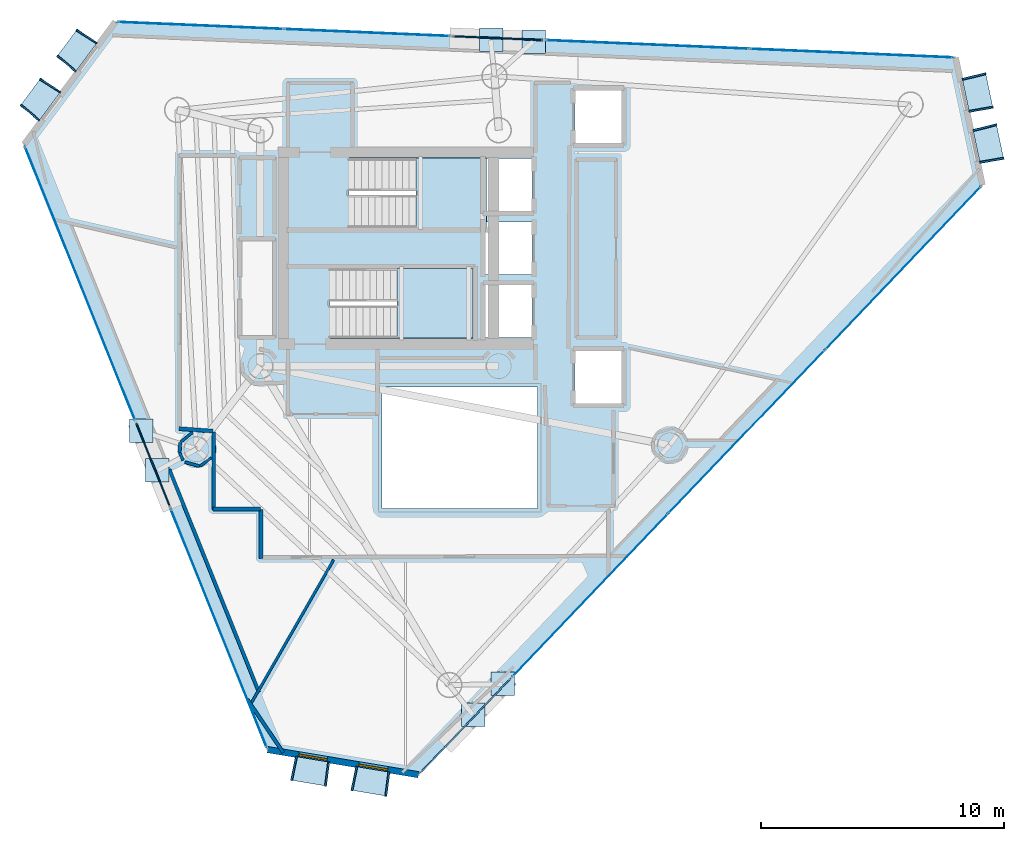
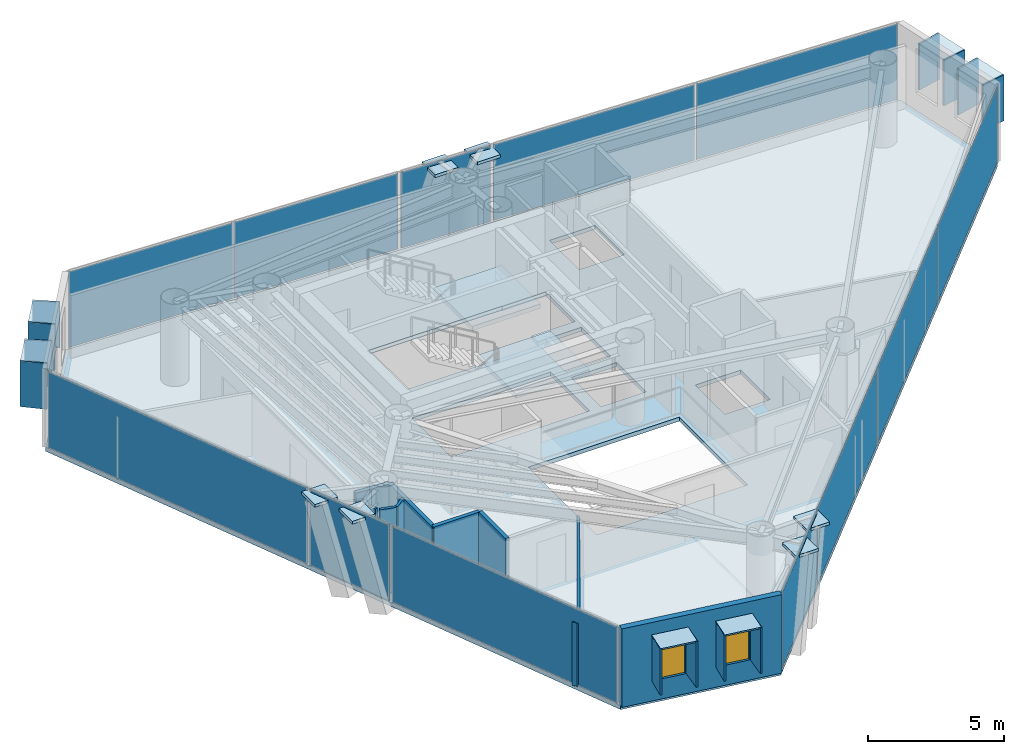
# One storey, part 14 of 21: 36 plates, 13 walls, 3 slabs, 2 windows, 2 openings, 10 elements without a shape of their own.
"""IFC4 building model written with IfcOpenShell, lengths in metres."""

from ifc_helpers import new_model, si_unit, direction, frame, frame_2d, origin, origin_2d, place, context, subcontext, project, spatial, polyline, rectangle, outline, extrude, material, layer, layer_set, type_object, element, fill, aggregate, save


model = new_model("IFC4")

# Units and contexts
model_context = context("Model", 3, precision=1e-05, world=origin(), true_north=direction((0.0, 1.0)))
body_context = subcontext(model_context, "Body", "Model", "MODEL_VIEW")
ifc_project = project(units=[si_unit("LENGTHUNIT", "METRE"), si_unit("AREAUNIT", "SQUARE_METRE"), si_unit("VOLUMEUNIT", "CUBIC_METRE"), si_unit("PLANEANGLEUNIT", "RADIAN"), si_unit("MASSUNIT", "GRAM", prefix="KILO")], contexts=[model_context])

# Site, building, storey
site_placement = place(None, origin())
site = spatial("IfcSite", under=ifc_project, at=site_placement, CompositionType="ELEMENT")
building_placement = place(site_placement, origin())
building = spatial("IfcBuilding", under=site, at=building_placement, Name="Qianvela Tower", CompositionType="ELEMENT")
storey_placement = place(building_placement, frame((0.0, 0.0, 242.699951171875)))
storey = spatial("IfcBuildingStorey", under=building, at=storey_placement, Name="L62", CompositionType="ELEMENT", Elevation=242.699951171875)

# Curtain wall, plate
ifc_material_1 = material(Name="Anodised Architectural Aluminium and Insulated Spandrel Panel", Category="aluminium")
ifc_layer_1 = layer(ifc_material_1, 0.179931640625)
ifc_layer_set_1 = layer_set([ifc_layer_1], Name="Anodised Architectural Aluminium and Insulated Spandrel Panel")
curtain_wall_type_1 = type_object("IfcCurtainWallType", Name="CW-BRACEBAY", PredefinedType="USERDEFINED", material=ifc_layer_set_1)
curtain_wall_1_placement = place(storey_placement, origin())
curtain_wall_1 = element("IfcCurtainWall", 1, at=curtain_wall_1_placement, inside=storey, type_object=curtain_wall_type_1, Name="L62 CW-BRACEBAY Curtain Wall 02B", ObjectType="CURTAIN_WALL_SYSTEM", PredefinedType="USERDEFINED")
ifc_material_2 = material(Name="Insulated Aluminium Spandrel Panel with Mineral-Wool Backpan", Category="aluminium")
ifc_layer_2 = layer(ifc_material_2, 0.06005859375)
ifc_layer_set_2 = layer_set([ifc_layer_2], Name="Insulated Aluminium Spandrel Panel with Mineral-Wool Backpan")
plate_type_1 = type_object("IfcPlateType", Name="CW-BRACEBAY-PNL", PredefinedType="CURTAIN_PANEL", material=ifc_layer_set_2)
plate_1_placement = place(storey_placement, frame((38.36279296875, 37.336669921875, 0.06494140625), z_axis=(0.0, 0.0, 1.0), x_axis=(-0.999098434413, 0.042453720132, 0.0)))
plate_1 = element("IfcPlate", 2, at=plate_1_placement, type_object=plate_type_1, Name="CW-9 panel 1.1", PredefinedType="CURTAIN_PANEL", context=body_context, shape_type="SweptSolid", body=[
    extrude(rectangle(XDim=3.699951171875, YDim=0.06005859375, at=origin_2d()), origin(), (0.0, 0.0, 1.0), 3.389892578125),
])
aggregate(curtain_wall_1, [plate_1])

curtain_wall_2_placement = place(storey_placement, origin())
curtain_wall_2 = element("IfcCurtainWall", 3, at=curtain_wall_2_placement, inside=storey, type_object=curtain_wall_type_1, Name="L62 CW-BRACEBAY Curtain Wall 04B", ObjectType="CURTAIN_WALL_SYSTEM", PredefinedType="USERDEFINED")
plate_2_placement = place(storey_placement, frame((24.18603515625, 19.796875, 0.06494140625), z_axis=(0.0, 0.0, 1.0), x_axis=(0.373307550736, -0.927707643907, 0.0)))
plate_2 = element("IfcPlate", 4, at=plate_2_placement, type_object=plate_type_1, Name="CW-9 panel 1.1", PredefinedType="CURTAIN_PANEL", context=body_context, shape_type="SweptSolid", body=[
    extrude(rectangle(XDim=3.7001953125, YDim=0.06005859375, at=origin_2d()), origin(), (0.0, 0.0, 1.0), 3.389892578125),
])
aggregate(curtain_wall_2, [plate_2])

curtain_wall_3_placement = place(storey_placement, origin())
curtain_wall_3 = element("IfcCurtainWall", 5, at=curtain_wall_3_placement, inside=storey, type_object=curtain_wall_type_1, Name="L62 CW-BRACEBAY Curtain Wall 06A", ObjectType="CURTAIN_WALL_SYSTEM", PredefinedType="USERDEFINED")
plate_3_placement = place(storey_placement, frame((37.0302734375, 9.06982421875, 0.06494140625), z_axis=(0.0, 0.0, 1.0), x_axis=(0.691221818829, 0.722642648323, 0.0)))
plate_3 = element("IfcPlate", 6, at=plate_3_placement, type_object=plate_type_1, Name="CW-9 panel 1.1", PredefinedType="CURTAIN_PANEL", context=body_context, shape_type="SweptSolid", body=[
    extrude(rectangle(XDim=5.360107421875, YDim=0.06005859375, at=origin_2d()), origin(), (0.0, 0.0, 1.0), 3.389892578125),
])
aggregate(curtain_wall_3, [plate_3])

# Curtain wall, plates
ifc_material_3 = material(Name="Anodised Architectural Aluminium and Low-E Glass", Category="aluminium")
ifc_layer_3 = layer(ifc_material_3, 0.159912109375)
ifc_layer_set_3 = layer_set([ifc_layer_3], Name="Anodised Architectural Aluminium and Low-E Glass")
curtain_wall_type_2 = type_object("IfcCurtainWallType", Name="CW-COLIV-Z56", PredefinedType="USERDEFINED", material=ifc_layer_set_3)
curtain_wall_4_placement = place(storey_placement, origin())
curtain_wall_4 = element("IfcCurtainWall", 7, at=curtain_wall_4_placement, inside=storey, type_object=curtain_wall_type_2, Name="L62 CW-COLIV-Z56 Curtain Wall 02A", ObjectType="CURTAIN_WALL_SYSTEM", PredefinedType="USERDEFINED")
ifc_material_4 = material(Name="Double-Silver Low-E Insulated Glass", Category="glass")
ifc_layer_4 = layer(ifc_material_4, 0.028076171875)
ifc_layer_set_4 = layer_set([ifc_layer_4], Name="Double-Silver Low-E Insulated Glass")
plate_type_2 = type_object("IfcPlateType", Name="CW-COLIV-Z56-PNL", PredefinedType="CURTAIN_PANEL", material=ifc_layer_set_4)
plate_4_placement = place(storey_placement, frame((52.90087890625, 36.71875, 0.06005859375), z_axis=(0.0, 0.0, 1.0), x_axis=(-0.999098410299, 0.04245428762, 0.0)))
plate_4 = element("IfcPlate", 8, at=plate_4_placement, type_object=plate_type_2, Name="CW-5 panel 1.1", PredefinedType="CURTAIN_PANEL", context=body_context, shape_type="SweptSolid", body=[
    extrude(rectangle(XDim=8.33740234375, YDim=0.028076171875, at=origin_2d()), origin(), (0.0, 0.0, 1.0), 3.39990234375),
])
plate_5_placement = place(storey_placement, frame((44.506103515625, 37.075439453125, 0.06005859375), z_axis=(0.0, 0.0, 1.0), x_axis=(-0.999098410299, 0.04245428762, 0.0)))
plate_5 = element("IfcPlate", 9, at=plate_5_placement, type_object=plate_type_2, Name="CW-5 panel 2.1", PredefinedType="CURTAIN_PANEL", context=body_context, shape_type="SweptSolid", body=[
    extrude(rectangle(XDim=8.33740234375, YDim=0.028076171875, at=origin_2d()), origin(), (0.0, 0.0, 1.0), 3.39990234375),
])
aggregate(curtain_wall_4, [plate_4, plate_5])

curtain_wall_5_placement = place(storey_placement, origin())
curtain_wall_5 = element("IfcCurtainWall", 10, at=curtain_wall_5_placement, inside=storey, type_object=curtain_wall_type_2, Name="L62 CW-COLIV-Z56 Curtain Wall 02C", ObjectType="CURTAIN_WALL_SYSTEM", PredefinedType="USERDEFINED")
plate_6_placement = place(storey_placement, frame((32.993896484375, 37.564697265625, 0.06005859375), z_axis=(0.0, 0.0, 1.0), x_axis=(-0.999098398512, 0.042454565017, 0.0)))
plate_6 = element("IfcPlate", 11, at=plate_6_placement, type_object=plate_type_2, Name="CW-5 panel 1.1", PredefinedType="CURTAIN_PANEL", context=body_context, shape_type="SweptSolid", body=[
    extrude(rectangle(XDim=6.78759765625, YDim=0.028076171875, at=origin_2d()), origin(), (0.0, 0.0, 1.0), 3.39990234375),
])
plate_7_placement = place(storey_placement, frame((26.147705078125, 37.855712890625, 0.06005859375), z_axis=(0.0, 0.0, 1.0), x_axis=(-0.999098398512, 0.042454565017, 0.0)))
plate_7 = element("IfcPlate", 12, at=plate_7_placement, type_object=plate_type_2, Name="CW-5 panel 2.1", PredefinedType="CURTAIN_PANEL", context=body_context, shape_type="SweptSolid", body=[
    extrude(rectangle(XDim=6.78759765625, YDim=0.028076171875, at=origin_2d()), origin(), (0.0, 0.0, 1.0), 3.39990234375),
])
aggregate(curtain_wall_5, [plate_6, plate_7])

# Curtain wall, plate
curtain_wall_6_placement = place(storey_placement, origin())
curtain_wall_6 = element("IfcCurtainWall", 13, at=curtain_wall_6_placement, inside=storey, type_object=curtain_wall_type_2, Name="L62 CW-COLIV-Z56 Curtain Wall 04A", ObjectType="CURTAIN_WALL_SYSTEM", PredefinedType="USERDEFINED")
plate_8_placement = place(storey_placement, frame((21.1884765625, 27.246337890625, 0.06005859375), z_axis=(0.0, 0.0, 1.0), x_axis=(0.373305763512, -0.92770836308, 0.0)))
plate_8 = element("IfcPlate", 14, at=plate_8_placement, type_object=plate_type_2, Name="CW-5 panel 1.1", PredefinedType="CURTAIN_PANEL", context=body_context, shape_type="SweptSolid", body=[
    extrude(rectangle(XDim=12.099853515625, YDim=0.028076171875, at=origin_2d()), origin(), (0.0, 0.0, 1.0), 3.39990234375),
])
aggregate(curtain_wall_6, [plate_8])

curtain_wall_7_placement = place(storey_placement, origin())
curtain_wall_7 = element("IfcCurtainWall", 15, at=curtain_wall_7_placement, inside=storey, type_object=curtain_wall_type_2, Name="L62 CW-COLIV-Z56 Curtain Wall 04C", ObjectType="CURTAIN_WALL_SYSTEM", PredefinedType="USERDEFINED")
plate_9_placement = place(storey_placement, frame((26.890869140625, 13.0751953125, 0.06005859375), z_axis=(0.0, 0.0, 1.0), x_axis=(0.373309521879, -0.927706850721, 0.0)))
plate_9 = element("IfcPlate", 16, at=plate_9_placement, type_object=plate_type_2, Name="CW-5 panel 1.1", PredefinedType="CURTAIN_PANEL", context=body_context, shape_type="SweptSolid", body=[
    extrude(rectangle(XDim=10.531005859375, YDim=0.028076171875, at=origin_2d()), origin(), (0.0, 0.0, 1.0), 3.39990234375),
])
aggregate(curtain_wall_7, [plate_9])

# Curtain wall, plates
curtain_wall_8_placement = place(storey_placement, origin())
curtain_wall_8 = element("IfcCurtainWall", 17, at=curtain_wall_8_placement, inside=storey, type_object=curtain_wall_type_2, Name="L62 CW-COLIV-Z56 Curtain Wall 06B", ObjectType="CURTAIN_WALL_SYSTEM", PredefinedType="USERDEFINED")
plate_10_placement = place(storey_placement, frame((42.159423828125, 14.43212890625, 0.06005859375), z_axis=(0.0, 0.0, 1.0), x_axis=(0.691219965811, 0.722644420766, 0.0)))
plate_10 = element("IfcPlate", 18, at=plate_10_placement, type_object=plate_type_2, Name="CW-5 panel 1.1", PredefinedType="CURTAIN_PANEL", context=body_context, shape_type="SweptSolid", body=[
    extrude(rectangle(XDim=9.22119140625, YDim=0.028076171875, at=origin_2d()), origin(), (0.0, 0.0, 1.0), 3.39990234375),
])
plate_11_placement = place(storey_placement, frame((48.58935546875, 21.154541015625, 0.06005859375), z_axis=(0.0, 0.0, 1.0), x_axis=(0.691219965811, 0.722644420766, 0.0)))
plate_11 = element("IfcPlate", 19, at=plate_11_placement, type_object=plate_type_2, Name="CW-5 panel 2.1", PredefinedType="CURTAIN_PANEL", context=body_context, shape_type="SweptSolid", body=[
    extrude(rectangle(XDim=9.253662109375, YDim=0.028076171875, at=origin_2d()), origin(), (0.0, 0.0, 1.0), 3.39990234375),
])
plate_12_placement = place(storey_placement, frame((55.01953125, 27.876708984375, 0.06005859375), z_axis=(0.0, 0.0, 1.0), x_axis=(0.691219965811, 0.722644420766, 0.0)))
plate_12 = element("IfcPlate", 20, at=plate_12_placement, type_object=plate_type_2, Name="CW-5 panel 3.1", PredefinedType="CURTAIN_PANEL", context=body_context, shape_type="SweptSolid", body=[
    extrude(rectangle(XDim=9.22119140625, YDim=0.028076171875, at=origin_2d()), origin(), (0.0, 0.0, 1.0), 3.39990234375),
])
aggregate(curtain_wall_8, [plate_10, plate_11, plate_12])

# Plates
ifc_material_5 = material(Name="Steel Q420GJC", Category="steel")
ifc_layer_5 = layer(ifc_material_5, 0.1298828125)
ifc_layer_set_5 = layer_set([ifc_layer_5], Name="Steel Q420GJC")
plate_type_3 = type_object("IfcPlateType", Name="PT-ENDCAP-130", PredefinedType="USERDEFINED", material=ifc_layer_set_5)
for number, where, z_axis, x_axis, name in (
    (21, (39.839111328125, 37.19384765625, 3.209716796875), (0.0, 0.0, 1.0), (1.0, 0.0, 0.0), "L62 Hollow Section End Cap Plate B"),
    (22, (38.088134765625, 37.268310546875, 3.209716796875), (0.0, 0.0, 1.0), (1.0, 0.0, 0.0), "L62 Hollow Section End Cap Plate B"),
    (23, (23.7080078125, 21.19921875, 3.209716796875), (0.0, 0.0, 1.0), (1.0, 0.0, 0.0), "L62 Hollow Section End Cap Plate B"),
    (24, (24.3623046875, 19.5732421875, 3.209716796875), (0.0, 0.0, 1.0), (1.0, 0.0, 0.0), "L62 Hollow Section End Cap Plate B"),
    (25, (37.353759765625, 9.523681640625, 3.20947265625), (0.0, 0.0, 1.0), (1.0, 0.0, 0.0), "L62 Hollow Section End Cap Plate B"),
    (26, (38.565185546875, 10.790283203125, 3.20947265625), (0.0, 0.0, 1.0), (1.0, 0.0, 0.0), "L62 Hollow Section End Cap Plate B"),
):
    element("IfcPlate", number, at=place(storey_placement, frame(where, z_axis=z_axis, x_axis=x_axis)), inside=storey, type_object=plate_type_3, Name=name, ObjectType="END_CAP", PredefinedType="USERDEFINED", context=body_context, shape_type="SweptSolid", body=[
        extrude(rectangle(XDim=0.969970703125, YDim=0.969970703125, at=origin_2d()), origin(), (0.0, 0.0, 1.0), 0.1298828125),
    ])

# Slab
ifc_material_6 = material(Name="Concrete C40", Category="concrete")
ifc_layer_6 = layer(ifc_material_6, 0.179931640625)
ifc_layer_set_6 = layer_set([ifc_layer_6], Name="Concrete C40")
slab_type_1 = type_object("IfcSlabType", Name="SL-FLOOR-180", PredefinedType="FLOOR", material=ifc_layer_set_6)
slab_1_placement = place(storey_placement, frame((0.0, 0.0, -0.179931640625)))
element("IfcSlab", 27, at=slab_1_placement, inside=storey, type_object=slab_type_1, Name="L62 Composite Structural Floor Slab", PredefinedType="FLOOR", context=body_context, shape_type="SweptSolid", body=[
    extrude(outline(polyline([(58.285888671875, 31.291748046875), (57.180908203125, 36.537109375), (22.64208984375, 38.004638671875), (18.886962890625, 32.9658203125), (28.899658203125, 8.08349609375), (35.09814453125, 7.050048828125), (58.285888671875, 31.291748046875)]), holes=[polyline([(40.0, 23.0), (33.60009765625, 23.0), (33.60009765625, 18.0), (40.0, 18.0), (40.0, 23.0)]), polyline([(43.4599609375, 24.47998046875), (41.5400390625, 24.47998046875), (41.5400390625, 22.320068359375), (43.4599609375, 22.320068359375), (43.4599609375, 24.47998046875)]), polyline([(39.760009765625, 27.179931640625), (37.840087890625, 27.179931640625), (37.840087890625, 25.02001953125), (39.760009765625, 25.02001953125), (39.760009765625, 27.179931640625)]), polyline([(37.35009765625, 27.860107421875), (31.469970703125, 27.860107421875), (31.469970703125, 25.0), (37.35009765625, 25.0), (37.35009765625, 27.860107421875)]), polyline([(39.760009765625, 27.6201171875), (39.760009765625, 29.780029296875), (37.89990234375, 29.780029296875), (37.89990234375, 30.219970703125), (39.760009765625, 30.219970703125), (39.760009765625, 32.3798828125), (37.89990234375, 32.3798828125), (37.89990234375, 32.39990234375), (32.25, 32.39990234375), (32.25, 29.5400390625), (37.840087890625, 29.5400390625), (37.840087890625, 27.6201171875), (39.760009765625, 27.6201171875)]), polyline([(43.4599609375, 35.179931640625), (41.5400390625, 35.179931640625), (41.5400390625, 33.02001953125), (43.4599609375, 33.02001953125), (43.4599609375, 35.179931640625)])]), origin(), (0.0, 0.0, 1.0), 0.179931640625),
])

# Stair, slab
ifc_material_7 = material(Name="Concrete C40", Category="concrete")
stair_type = type_object("IfcStairType", Name="ST-DOGLEG-1350-R168-N22", PredefinedType="HALF_TURN_STAIR", material=ifc_material_7)
stair_1_placement = place(storey_placement, origin())
stair_1 = element("IfcStair", 28, at=stair_1_placement, inside=storey, type_object=stair_type, Name="L62 Smoke-Proof Core Stair ST-1", PredefinedType="HALF_TURN_STAIR")
ifc_material_8 = material(Name="Concrete C40", Category="concrete")
ifc_layer_7 = layer(ifc_material_8, 0.199951171875)
ifc_layer_set_7 = layer_set([ifc_layer_7], Name="Concrete C40")
slab_type_2 = type_object("IfcSlabType", Name="SL-STAIR-LANDING-200", PredefinedType="LANDING", material=ifc_layer_set_7)
slab_2_placement = place(storey_placement, frame((0.0, 0.0, 1.650146484375)))
slab_2 = element("IfcSlab", 29, at=slab_2_placement, type_object=slab_type_2, Name="ST-1 landing 1", PredefinedType="LANDING", context=body_context, shape_type="SweptSolid", body=[
    extrude(outline(polyline([(35.0, 29.5400390625), (37.89990234375, 29.5400390625), (37.89990234375, 32.39990234375), (35.0, 32.39990234375), (35.0, 29.5400390625)])), origin(), (0.0, 0.0, 1.0), 0.199951171875),
])
aggregate(stair_1, [slab_2])

stair_2_placement = place(storey_placement, origin())
stair_2 = element("IfcStair", 30, at=stair_2_placement, inside=storey, type_object=stair_type, Name="L62 Smoke-Proof Core Stair ST-2", PredefinedType="HALF_TURN_STAIR")
slab_3_placement = place(storey_placement, frame((0.0, 0.0, 1.650146484375)))
slab_3 = element("IfcSlab", 31, at=slab_3_placement, type_object=slab_type_2, Name="ST-2 landing 1", PredefinedType="LANDING", context=body_context, shape_type="SweptSolid", body=[
    extrude(outline(polyline([(34.219970703125, 25.0), (37.35009765625, 25.0), (37.35009765625, 27.860107421875), (34.219970703125, 27.860107421875), (34.219970703125, 25.0)])), origin(), (0.0, 0.0, 1.0), 0.199951171875),
])
aggregate(stair_2, [slab_3])

# Plates
ifc_material_9 = material(Name="Vitrified Architectural Terracotta Panel", Category="masonry")
ifc_layer_8 = layer(ifc_material_9, 0.06005859375)
ifc_layer_set_8 = layer_set([ifc_layer_8], Name="Vitrified Architectural Terracotta Panel")
plate_type_4 = type_object("IfcPlateType", Name="TERRACOTTA-SUNSHADE-HOOD-FOLD-A", PredefinedType="USERDEFINED", material=ifc_layer_set_8)
for number, where, z_axis, x_axis, name in (
    (32, (21.04638671875, 36.842529296875, 2.909912109375), (0.0, 0.0, 1.0), (-0.597535584048, -0.801842394611, 0.0), "L62 Terracotta Sunshade Hood FOLD-A"),
    (33, (19.54443359375, 34.826904296875, 2.909912109375), (0.0, 0.0, 1.0), (-0.597535584048, -0.801842394611, 0.0), "L62 Terracotta Sunshade Hood FOLD-A"),
):
    element("IfcPlate", number, at=place(storey_placement, frame(where, z_axis=z_axis, x_axis=x_axis)), inside=storey, type_object=plate_type_4, Name=name, ObjectType="SUNSHADE", PredefinedType="USERDEFINED", context=body_context, shape_type="SweptSolid", body=[
        extrude(rectangle(XDim=1.43994140625, YDim=0.989990234375, at=origin_2d()), origin(), (0.0, 0.0, 1.0), 0.06005859375),
    ])
ifc_material_10 = material(Name="Vitrified Architectural Terracotta Panel", Category="masonry")
ifc_layer_9 = layer(ifc_material_10, 0.070068359375)
ifc_layer_set_9 = layer_set([ifc_layer_9], Name="Vitrified Architectural Terracotta Panel")
plate_type_5 = type_object("IfcPlateType", Name="TERRACOTTA-SUNSHADE-HOOD-FOLD-C", PredefinedType="USERDEFINED", material=ifc_layer_set_9)
for number, where, z_axis, x_axis, name in (
    (34, (58.52685546875, 32.98583984375, 2.909912109375), (0.0, 0.0, 1.0), (-0.206140995614, 0.978522299147, 0.0), "L62 Terracotta Sunshade Hood FOLD-C"),
    (35, (58.084716796875, 35.083984375, 2.909912109375), (0.0, 0.0, 1.0), (-0.206140995614, 0.978522299147, 0.0), "L62 Terracotta Sunshade Hood FOLD-C"),
    (36, (30.6630859375, 7.1962890625, 2.909912109375), (0.0, 0.0, 1.0), (0.986383656138, -0.164460581613, 0.0), "L62 Terracotta Sunshade Hood FOLD-C"),
    (37, (33.142333984375, 6.782958984375, 2.909912109375), (0.0, 0.0, 1.0), (0.986383656138, -0.164460581613, 0.0), "L62 Terracotta Sunshade Hood FOLD-C"),
):
    element("IfcPlate", number, at=place(storey_placement, frame(where, z_axis=z_axis, x_axis=x_axis)), inside=storey, type_object=plate_type_5, Name=name, ObjectType="SUNSHADE", PredefinedType="USERDEFINED", context=body_context, shape_type="SweptSolid", body=[
        extrude(rectangle(XDim=1.43994140625, YDim=0.989990234375, at=origin_2d()), origin(), (0.0, 0.0, 1.0), 0.06005859375),
    ])
ifc_material_11 = material(Name="Vitrified Architectural Terracotta Side Fin Panel", Category="masonry")
ifc_layer_10 = layer(ifc_material_11, 0.06494140625)
ifc_layer_set_10 = layer_set([ifc_layer_10], Name="Vitrified Architectural Terracotta Side Fin Panel")
plate_type_6 = type_object("IfcPlateType", Name="TERRACOTTA-SUNSHADE-STRUT-FOLD-A", PredefinedType="USERDEFINED", material=ifc_layer_set_10)
for number, where, z_axis, x_axis, name in (
    (38, (21.458740234375, 37.395751953125, 0.89990234375), (0.0, 0.0, 1.0), (-0.540146319451, -0.841571122118, 0.0), "L62 Terracotta Sunshade Side Fin HL FOLD-A"),
    (39, (20.634033203125, 36.289306640625, 0.89990234375), (0.0, 0.0, 1.0), (-0.652013715344, -0.758207171559, 0.0), "L62 Terracotta Sunshade Side Fin HR FOLD-A"),
    (40, (19.956787109375, 35.380126953125, 0.89990234375), (0.0, 0.0, 1.0), (-0.540146319451, -0.841571122118, 0.0), "L62 Terracotta Sunshade Side Fin HL FOLD-A"),
    (41, (19.132080078125, 34.273681640625, 0.89990234375), (0.0, 0.0, 1.0), (-0.652013715344, -0.758207171559, 0.0), "L62 Terracotta Sunshade Side Fin HR FOLD-A"),
):
    element("IfcPlate", number, at=place(storey_placement, frame(where, z_axis=z_axis, x_axis=x_axis)), inside=storey, type_object=plate_type_6, Name=name, ObjectType="SUNSHADE", PredefinedType="USERDEFINED", context=body_context, shape_type="SweptSolid", body=[
        extrude(rectangle(XDim=0.06494140625, YDim=1.010009765625, at=origin_2d()), origin(), (0.0, 0.0, 1.0), 2.06005859375),
    ])
ifc_material_12 = material(Name="Vitrified Architectural Terracotta Side Fin Panel", Category="masonry")
ifc_layer_11 = layer(ifc_material_12, 0.074951171875)
ifc_layer_set_11 = layer_set([ifc_layer_11], Name="Vitrified Architectural Terracotta Side Fin Panel")
plate_type_7 = type_object("IfcPlateType", Name="TERRACOTTA-SUNSHADE-STRUT-FOLD-C", PredefinedType="USERDEFINED", material=ifc_layer_set_11)
for number, where, z_axis, x_axis, name in (
    (42, (58.669189453125, 32.310791015625, 0.89990234375), (0.0, 0.0, 1.0), (-0.171865484336, 0.985120426798, 0.0), "L62 Terracotta Sunshade Side Fin HL FOLD-C"),
    (43, (58.384521484375, 33.6611328125, 0.89990234375), (0.0, 0.0, 1.0), (-0.240165355841, 0.970731992804, 0.0), "L62 Terracotta Sunshade Side Fin HR FOLD-C"),
    (44, (58.22705078125, 34.40869140625, 0.89990234375), (0.0, 0.0, 1.0), (-0.171865484336, 0.985120426798, 0.0), "L62 Terracotta Sunshade Side Fin HL FOLD-C"),
    (45, (57.942626953125, 35.75927734375, 0.89990234375), (0.0, 0.0, 1.0), (-0.240165355841, 0.970731992804, 0.0), "L62 Terracotta Sunshade Side Fin HR FOLD-C"),
    (46, (29.982421875, 7.309814453125, 0.89990234375), (0.0, 0.0, 1.0), (0.98004318634, -0.198784689826, 0.0), "L62 Terracotta Sunshade Side Fin HL FOLD-C"),
    (47, (31.343505859375, 7.0830078125, 0.89990234375), (0.0, 0.0, 1.0), (0.991522369391, -0.129936103516, 0.0), "L62 Terracotta Sunshade Side Fin HR FOLD-C"),
    (48, (32.4619140625, 6.896484375, 0.89990234375), (0.0, 0.0, 1.0), (0.98004318634, -0.198784689826, 0.0), "L62 Terracotta Sunshade Side Fin HL FOLD-C"),
    (49, (33.822998046875, 6.66943359375, 0.89990234375), (0.0, 0.0, 1.0), (0.991522369391, -0.129936103516, 0.0), "L62 Terracotta Sunshade Side Fin HR FOLD-C"),
):
    element("IfcPlate", number, at=place(storey_placement, frame(where, z_axis=z_axis, x_axis=x_axis)), inside=storey, type_object=plate_type_7, Name=name, ObjectType="SUNSHADE", PredefinedType="USERDEFINED", context=body_context, shape_type="SweptSolid", body=[
        extrude(rectangle(XDim=0.074951171875, YDim=1.010009765625, at=origin_2d()), origin(), (0.0, 0.0, 1.0), 2.06005859375),
    ])

# Wall, openings, windows
ifc_material_13 = material(Name="Terracotta Cladding on Concrete C40", Category="masonry")
ifc_layer_12 = layer(ifc_material_13, 0.260009765625)
ifc_layer_set_12 = layer_set([ifc_layer_12], Name="Terracotta Cladding on Concrete C40")
wall_type_1 = type_object("IfcWallType", Name="TERRACOTTA-WALL-260", PredefinedType="SOLIDWALL", material=ifc_layer_set_12)
wall_1_placement = place(storey_placement, frame((28.899658203125, 8.08349609375, 0.0), z_axis=(0.0, 0.0, 1.0), x_axis=(0.986384471993, -0.164455688288, 0.0)))
wall_1 = element("IfcWall", 50, at=wall_1_placement, inside=storey, type_object=wall_type_1, Name="L62 Terracotta Chamfer Facet Wall 5", PredefinedType="SOLIDWALL", context=body_context, shape_type="SweptSolid", body=[
    extrude(rectangle(XDim=6.283935546875, YDim=0.260009765625, at=frame_2d((3.14208984375, 0.0))), origin(), (0.0, 0.0, 1.0), 3.52001953125),
])
opening_1_placement = place(wall_1_placement, frame((1.285400390625, 0.0, 0.89990234375)))
opening_1 = element("IfcOpeningElement", 51, at=opening_1_placement, cuts=wall_1, Name="Opening W-03", PredefinedType="OPENING", context=body_context, shape_type="SweptSolid", body=[
    extrude(rectangle(XDim=1.199951171875, YDim=2.0, at=frame_2d((0.60009765625, 1.0))), frame((0.0, 0.139892578125, 0.0), z_axis=(0.0, -1.0, 0.0), x_axis=(1.0, 0.0, 0.0)), (0.0, 0.0, 1.0), 0.280029296875),
])
opening_2_placement = place(wall_1_placement, frame((3.798828125, 0.0, 0.89990234375)))
opening_2 = element("IfcOpeningElement", 52, at=opening_2_placement, cuts=wall_1, Name="Opening W-03", PredefinedType="OPENING", context=body_context, shape_type="SweptSolid", body=[
    extrude(rectangle(XDim=1.199951171875, YDim=2.0, at=frame_2d((0.60009765625, 1.0))), frame((0.0, 0.139892578125, 0.0), z_axis=(0.0, -1.0, 0.0), x_axis=(1.0, 0.0, 0.0)), (0.0, 0.0, 1.0), 0.280029296875),
])
ifc_material_14 = material(Name="Thermally Broken Aluminium and Low-E Glass", Category="aluminium")
window_type = type_object("IfcWindowType", Name="WIN-TC-1200x2000", PartitioningType="SINGLE_PANEL", PredefinedType="WINDOW", material=ifc_material_14)
window_1_placement = place(opening_1_placement, origin())
window_1 = element("IfcWindow", 53, at=window_1_placement, inside=storey, type_object=window_type, Name="L62 Chamfer Facet Window 5.1", OverallHeight=2.0, OverallWidth=1.199951171875, PartitioningType="SINGLE_PANEL", PredefinedType="WINDOW", context=body_context, shape_type="SweptSolid", body=[
    extrude(rectangle(XDim=1.199951171875, YDim=2.0, at=frame_2d((0.60009765625, 1.0))), frame((0.0, 0.030029296875, 0.0), z_axis=(0.0, -1.0, 0.0), x_axis=(1.0, 0.0, 0.0)), (0.0, 0.0, 1.0), 0.06005859375),
])
fill(opening_1, window_1)
window_2_placement = place(opening_2_placement, origin())
window_2 = element("IfcWindow", 54, at=window_2_placement, inside=storey, type_object=window_type, Name="L62 Chamfer Facet Window 5.2", OverallHeight=2.0, OverallWidth=1.199951171875, PartitioningType="SINGLE_PANEL", PredefinedType="WINDOW", context=body_context, shape_type="SweptSolid", body=[
    extrude(rectangle(XDim=1.199951171875, YDim=2.0, at=frame_2d((0.60009765625, 1.0))), frame((0.0, 0.030029296875, 0.0), z_axis=(0.0, -1.0, 0.0), x_axis=(1.0, 0.0, 0.0)), (0.0, 0.0, 1.0), 0.06005859375),
])
fill(opening_2, window_2)

# Walls
ifc_material_15 = material(Name="Fire-Rated Gypsum and Concrete Block", Category="concrete")
ifc_layer_13 = layer(ifc_material_15, 0.159912109375)
ifc_layer_set_13 = layer_set([ifc_layer_13], Name="Fire-Rated Gypsum and Concrete Block")
wall_type_2 = type_object("IfcWallType", Name="WT-CORR-160", PredefinedType="PARTITIONING", material=ifc_layer_set_13)
wall_2_placement = place(storey_placement, frame((28.631103515625, 15.949951171875, 0.0), z_axis=(0.0, 0.0, 1.0), x_axis=(0.0, 1.0, 0.0)))
element("IfcWall", 55, at=wall_2_placement, inside=storey, type_object=wall_type_2, Name="L62 Partition 58", PredefinedType="PARTITIONING", context=body_context, shape_type="SweptSolid", body=[
    extrude(rectangle(XDim=2.0, YDim=0.159912109375, at=frame_2d((1.0, 0.0))), origin(), (0.0, 0.0, 1.0), 2.840087890625),
])
wall_3_placement = place(storey_placement, frame((28.60009765625, 17.98095703125, 0.0), z_axis=(0.0, 0.0, 1.0), x_axis=(-1.0, 0.0, 0.0)))
element("IfcWall", 56, at=wall_3_placement, inside=storey, type_object=wall_type_2, Name="L62 Partition 59", PredefinedType="PARTITIONING", context=body_context, shape_type="SweptSolid", body=[
    extrude(rectangle(XDim=1.9501953125, YDim=0.159912109375, at=frame_2d((0.97509765625, 0.0))), origin(), (0.0, 0.0, 1.0), 2.840087890625),
])
wall_4_placement = place(storey_placement, frame((26.680908203125, 17.949951171875, 0.0), z_axis=(0.0, 0.0, 1.0), x_axis=(0.0, 1.0, 0.0)))
element("IfcWall", 57, at=wall_4_placement, inside=storey, type_object=wall_type_2, Name="L62 Partition 60", PredefinedType="PARTITIONING", context=body_context, shape_type="SweptSolid", body=[
    extrude(rectangle(XDim=3.199951171875, YDim=0.159912109375, at=frame_2d((1.60009765625, 0.0))), origin(), (0.0, 0.0, 1.0), 2.840087890625),
])
wall_5_placement = place(storey_placement, frame((26.65234375, 21.180908203125, 0.0), z_axis=(0.0, 0.0, 1.0), x_axis=(-0.997303696291, 0.073384857861, 0.0)))
element("IfcWall", 58, at=wall_5_placement, inside=storey, type_object=wall_type_2, Name="L62 Partition 61", PredefinedType="PARTITIONING", context=body_context, shape_type="SweptSolid", body=[
    extrude(rectangle(XDim=1.404052734375, YDim=0.159912109375, at=frame_2d((0.7021484375, 0.0))), origin(), (0.0, 0.0, 1.0), 2.840087890625),
])
ifc_material_16 = material(Name="Lightweight Gypsum Room Partition")
ifc_layer_14 = layer(ifc_material_16, 0.10498046875)
ifc_layer_set_14 = layer_set([ifc_layer_14], Name="Lightweight Gypsum Room Partition")
wall_type_3 = type_object("IfcWallType", Name="WT-PART-105", PredefinedType="PARTITIONING", material=ifc_layer_set_14)
wall_6_placement = place(storey_placement, frame((25.814453125, 21.131591796875, 0.0), z_axis=(0.0, 0.0, 1.0), x_axis=(-0.771205244548, -0.636586577601, 0.0)))
element("IfcWall", 59, at=wall_6_placement, inside=storey, type_object=wall_type_3, Name="L62 Partition 65", PredefinedType="PARTITIONING", context=body_context, shape_type="SweptSolid", body=[
    extrude(rectangle(XDim=0.64208984375, YDim=0.10498046875, at=frame_2d((0.321044921875, 0.0))), origin(), (0.0, 0.0, 1.0), 2.840087890625),
])
wall_7_placement = place(storey_placement, frame((31.606689453125, 15.885498046875, 0.0), z_axis=(0.0, 0.0, 1.0), x_axis=(-0.498055632323, -0.867145078468, 0.0)))
element("IfcWall", 60, at=wall_7_placement, inside=storey, type_object=wall_type_3, Name="L62 Partition 74", PredefinedType="PARTITIONING", context=body_context, shape_type="SweptSolid", body=[
    extrude(rectangle(XDim=6.9228515625, YDim=0.10498046875, at=frame_2d((3.46142578125, 0.0))), origin(), (0.0, 0.0, 1.0), 2.840087890625),
])
wall_8_placement = place(storey_placement, frame((26.1240234375, 19.740234375, 0.0), z_axis=(0.0, 0.0, 1.0), x_axis=(0.802928569277, 0.596075257529, 0.0)))
element("IfcWall", 61, at=wall_8_placement, inside=storey, type_object=wall_type_3, Name="L62 Partition 77", PredefinedType="PARTITIONING", context=body_context, shape_type="SweptSolid", body=[
    extrude(rectangle(XDim=0.578369140625, YDim=0.10498046875, at=frame_2d((0.2890625, 0.0))), origin(), (0.0, 0.0, 1.0), 2.840087890625),
])
ifc_material_17 = material(Name="Insulated Gypsum Stud Partition")
ifc_layer_15 = layer(ifc_material_17, 0.1201171875)
ifc_layer_set_15 = layer_set([ifc_layer_15], Name="Insulated Gypsum Stud Partition")
wall_type_4 = type_object("IfcWallType", Name="WT-PART-120", PredefinedType="PARTITIONING", material=ifc_layer_set_15)
wall_9_placement = place(storey_placement, frame((25.272216796875, 20.289794921875, 0.0), z_axis=(0.0, 0.0, 1.0), x_axis=(0.441158146801, -0.897429378565, 0.0)))
element("IfcWall", 62, at=wall_9_placement, inside=storey, type_object=wall_type_4, Name="L62 Partition 67", PredefinedType="PARTITIONING", context=body_context, shape_type="SweptSolid", body=[
    extrude(rectangle(XDim=0.33935546875, YDim=0.1201171875, at=frame_2d((0.169677734375, 0.0))), origin(), (0.0, 0.0, 1.0), 2.840087890625),
])
wall_10_placement = place(storey_placement, frame((25.500732421875, 19.905029296875, 0.0), z_axis=(0.0, 0.0, 1.0), x_axis=(0.961835324747, -0.273628960581, 0.0)))
element("IfcWall", 63, at=wall_10_placement, inside=storey, type_object=wall_type_4, Name="L62 Partition 76", PredefinedType="PARTITIONING", context=body_context, shape_type="SweptSolid", body=[
    extrude(rectangle(XDim=0.6201171875, YDim=0.1201171875, at=frame_2d((0.31005859375, 0.0))), origin(), (0.0, 0.0, 1.0), 2.840087890625),
])
ifc_material_18 = material(Name="Acoustic Double Gypsum Stud Partition")
ifc_layer_16 = layer(ifc_material_18, 0.139892578125)
ifc_layer_set_16 = layer_set([ifc_layer_16], Name="Acoustic Double Gypsum Stud Partition")
wall_type_5 = type_object("IfcWallType", Name="WT-ROOM-140", PredefinedType="PARTITIONING", material=ifc_layer_set_16)
wall_11_placement = place(storey_placement, frame((25.308349609375, 20.7021484375, 0.0), z_axis=(0.0, 0.0, 1.0), x_axis=(-0.098227170207, -0.995164018156, 0.0)))
element("IfcWall", 64, at=wall_11_placement, inside=storey, type_object=wall_type_5, Name="L62 Partition 66", PredefinedType="PARTITIONING", context=body_context, shape_type="SweptSolid", body=[
    extrude(rectangle(XDim=0.397705078125, YDim=0.139892578125, at=frame_2d((0.19873046875, 0.0))), origin(), (0.0, 0.0, 1.0), 2.840087890625),
])
wall_12_placement = place(storey_placement, frame((28.5419921875, 10.448486328125, 0.0), z_axis=(0.0, 0.0, 1.0), x_axis=(-0.373309021007, 0.927707052272, 0.0)))
element("IfcWall", 65, at=wall_12_placement, inside=storey, type_object=wall_type_5, Name="L62 Partition 75 seg 1", PredefinedType="PARTITIONING", context=body_context, shape_type="SweptSolid", body=[
    extrude(rectangle(XDim=9.8701171875, YDim=0.139892578125, at=frame_2d((4.93505859375, 0.0))), origin(), (0.0, 0.0, 1.0), 2.840087890625),
])
wall_13_placement = place(storey_placement, frame((29.543701171875, 7.958740234375, 0.0), z_axis=(0.0, 0.0, 1.0), x_axis=(-0.559054284202, 0.829131055573, 0.0)))
element("IfcWall", 66, at=wall_13_placement, inside=storey, type_object=wall_type_5, Name="L62 Partition 81", PredefinedType="PARTITIONING", context=body_context, shape_type="SweptSolid", body=[
    extrude(rectangle(XDim=2.635009765625, YDim=0.139892578125, at=frame_2d((1.3173828125, 0.0))), origin(), (0.0, 0.0, 1.0), 2.840087890625),
])

save(model, "model.ifc")
